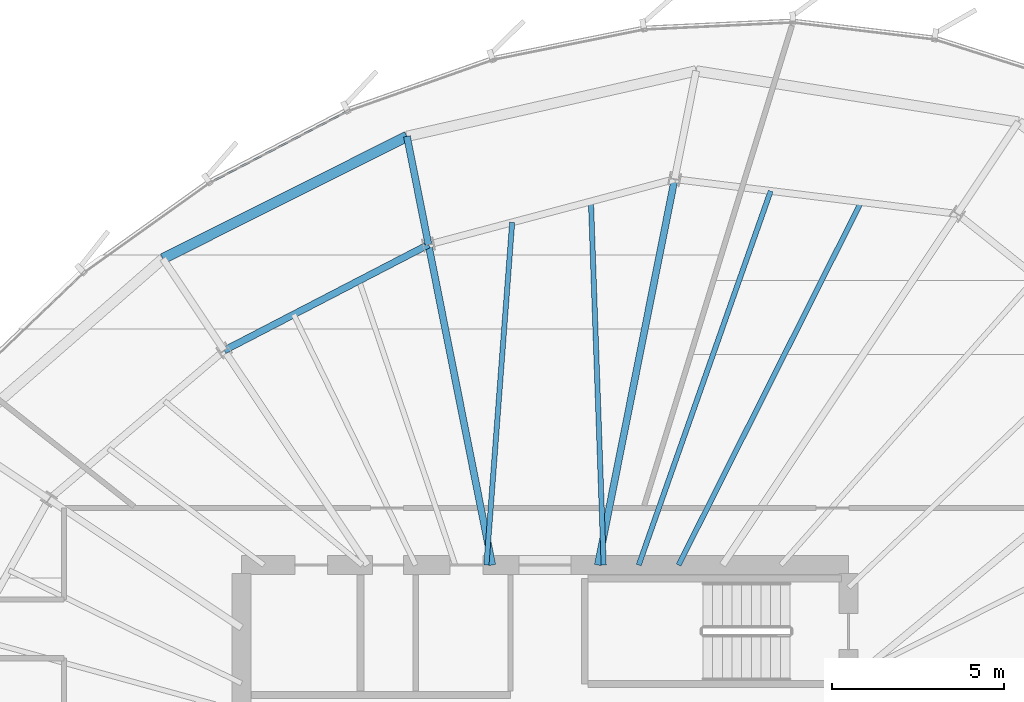
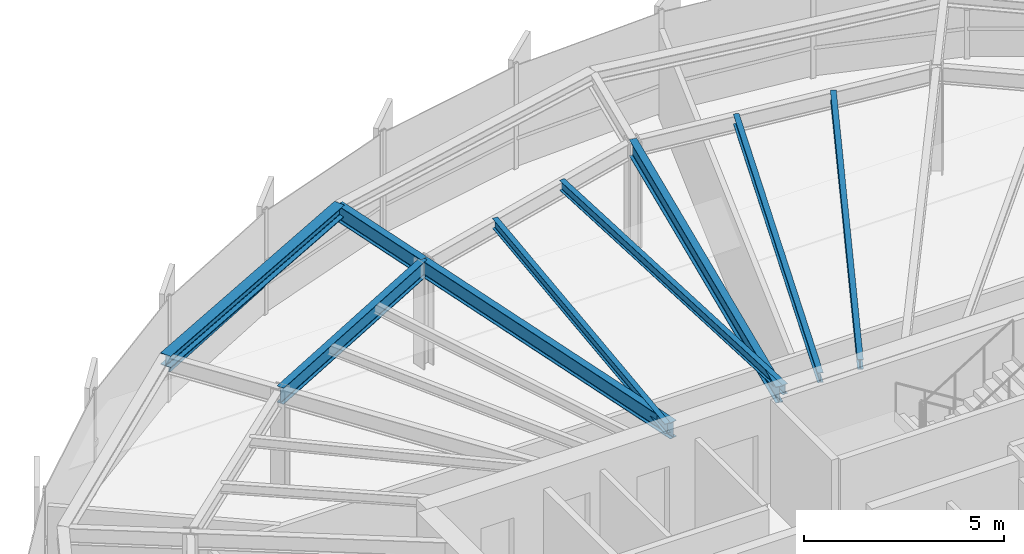
# One storey, part 22 of 35: 9 beams, 1 member, 1 element without a shape of its own.
"""IFC4 building model written with IfcOpenShell, lengths in metres."""

from ifc_helpers import new_model, si_unit, direction, frame, origin, origin_2d, place, context, subcontext, project, spatial, hollow_rectangle, i_section, extrude, source, transform, mapped, material, layer, layer_set, material_profile, profile_set, type_object, element, aggregate, save


model = new_model("IFC4")

# Units and contexts
model_context = context("Model", 3, precision=1e-05, world=origin(), true_north=direction((0.0, 1.0)))
body_context = subcontext(model_context, "Body", "Model", "MODEL_VIEW")
ifc_project = project(units=[si_unit("LENGTHUNIT", "METRE"), si_unit("AREAUNIT", "SQUARE_METRE"), si_unit("VOLUMEUNIT", "CUBIC_METRE"), si_unit("PLANEANGLEUNIT", "RADIAN"), si_unit("MASSUNIT", "GRAM", prefix="KILO"), si_unit("THERMODYNAMICTEMPERATUREUNIT", "KELVIN")], contexts=[model_context])

# Site, building, storey
site_placement = place(None, origin())
site = spatial("IfcSite", under=ifc_project, at=site_placement, CompositionType="ELEMENT")
building_placement = place(site_placement, origin())
building = spatial("IfcBuilding", under=site, at=building_placement, Name="Kethvar Cultural Tower", CompositionType="ELEMENT")
storey_placement = place(building_placement, frame((0.0, 0.0, 193.89990234375)))
storey = spatial("IfcBuildingStorey", under=building, at=storey_placement, Name="L50", CompositionType="ELEMENT", Elevation=193.89990234375)

# Beams
ifc_material_1 = material(Name="Steel S355J2", Category="steel")
ifc_material_profile_1 = material_profile(ifc_material_1, i_section(OverallWidth=0.199951171875, OverallDepth=0.5, WebThickness=0.01025390625, FlangeThickness=0.01611328125, FilletRadius=0.02099609375, at=origin_2d()), Name="Steel S355J2 — IPE500")
ifc_profile_set_1 = profile_set([ifc_material_profile_1], Name="Steel S355J2 — IPE500")
beam_type_1 = type_object("IfcBeamType", Name="BM-IPE500", PredefinedType="BEAM", material=ifc_profile_set_1)
shared_shape_1 = source(origin(), body_context, "Body", "SweptSolid", [
    extrude(i_section(OverallWidth=0.199951171875, OverallDepth=0.5, WebThickness=0.01025390625, FlangeThickness=0.01611328125, FilletRadius=0.02099609375, at=origin_2d()), origin(), (0.0, 0.0, 1.0), 3.199951171875),
])
beam_1_placement = place(storey_placement, frame((43.420654296875, 44.789306640625, 3.008056640625), z_axis=(-0.195088965533, 0.980785550224, 0.0), x_axis=(-0.980785550224, -0.195088965533, 0.0)))
element("IfcBeam", 1, at=beam_1_placement, inside=storey, type_object=beam_type_1, Name="L50 Perimeter Cantilever Beam RC-05", PredefinedType="BEAM", context=body_context, shape_type="MappedRepresentation", body=[
    mapped(shared_shape_1, transform((0.0, 0.0, 0.0), scale=1.0)),
])
shared_shape_2 = source(origin(), body_context, "Body", "SweptSolid", [
    extrude(i_section(OverallWidth=0.199951171875, OverallDepth=0.5, WebThickness=0.01025390625, FlangeThickness=0.01611328125, FilletRadius=0.02099609375, at=origin_2d()), origin(), (0.0, 0.0, 1.0), 11.40673828125),
])
beam_2_placement = place(storey_placement, frame((48.33154296875, 35.5, 3.008056640625), z_axis=(0.195091138918, 0.980785117911, 0.0), x_axis=(-0.980785117911, 0.195091138918, 0.0)))
element("IfcBeam", 2, at=beam_2_placement, inside=storey, type_object=beam_type_1, Name="L50 Primary Radial Beam RB-04", PredefinedType="BEAM", context=body_context, shape_type="MappedRepresentation", body=[
    mapped(shared_shape_2, transform((0.0, 0.0, 0.0), scale=1.0)),
])
shared_shape_3 = source(origin(), body_context, "Body", "SweptSolid", [
    extrude(i_section(OverallWidth=0.199951171875, OverallDepth=0.5, WebThickness=0.01025390625, FlangeThickness=0.01611328125, FilletRadius=0.02099609375, at=origin_2d()), origin(), (0.0, 0.0, 1.0), 9.47119140625),
])
beam_3_placement = place(storey_placement, frame((45.268310546875, 35.5, 3.008056640625), z_axis=(-0.195079990396, 0.980787335434, 0.0), x_axis=(-0.980787335434, -0.195079990396, 0.0)))
element("IfcBeam", 3, at=beam_3_placement, inside=storey, type_object=beam_type_1, Name="L50 Primary Radial Beam RB-05", PredefinedType="BEAM", context=body_context, shape_type="MappedRepresentation", body=[
    mapped(shared_shape_3, transform((0.0, 0.0, 0.0), scale=1.0)),
])
ifc_material_profile_2 = material_profile(ifc_material_1, i_section(OverallWidth=0.14990234375, OverallDepth=0.300048828125, WebThickness=0.007080078125, FlangeThickness=0.0107421875, FilletRadius=0.014892578125, at=origin_2d()), Name="Steel S355J2 — IPE300")
ifc_profile_set_2 = profile_set([ifc_material_profile_2], Name="Steel S355J2 — IPE300")
beam_type_2 = type_object("IfcBeamType", Name="BM-J300", PredefinedType="JOIST", material=ifc_profile_set_2)
shared_shape_4 = source(origin(), body_context, "Body", "SweptSolid", [
    extrude(i_section(OverallWidth=0.14990234375, OverallDepth=0.300048828125, WebThickness=0.007080078125, FlangeThickness=0.0107421875, FilletRadius=0.014892578125, at=origin_2d()), origin(), (0.0, 0.0, 1.0), 11.77880859375),
])
beam_4_placement = place(storey_placement, frame((50.671630859375, 35.5, 3.108154296875), z_axis=(0.449218855458, 0.893421748057, 0.0), x_axis=(-0.893421748057, 0.449218855458, 0.0)))
element("IfcBeam", 4, at=beam_4_placement, inside=storey, type_object=beam_type_2, Name="L50 Composite Floor Joist J-03A", PredefinedType="JOIST", context=body_context, shape_type="MappedRepresentation", body=[
    mapped(shared_shape_4, transform((0.0, 0.0, 0.0), scale=1.0)),
])
shared_shape_5 = source(origin(), body_context, "Body", "SweptSolid", [
    extrude(i_section(OverallWidth=0.14990234375, OverallDepth=0.300048828125, WebThickness=0.007080078125, FlangeThickness=0.0107421875, FilletRadius=0.014892578125, at=origin_2d()), origin(), (0.0, 0.0, 1.0), 11.50048828125),
])
beam_5_placement = place(storey_placement, frame((49.51611328125, 35.5, 3.108154296875), z_axis=(0.332655768875, 0.943048322958, 0.0), x_axis=(-0.943048322958, 0.332655768875, 0.0)))
element("IfcBeam", 5, at=beam_5_placement, inside=storey, type_object=beam_type_2, Name="L50 Composite Floor Joist J-03B", PredefinedType="JOIST", context=body_context, shape_type="MappedRepresentation", body=[
    mapped(shared_shape_5, transform((0.0, 0.0, 0.0), scale=1.0)),
])
shared_shape_6 = source(origin(), body_context, "Body", "SweptSolid", [
    extrude(i_section(OverallWidth=0.14990234375, OverallDepth=0.300048828125, WebThickness=0.007080078125, FlangeThickness=0.0107421875, FilletRadius=0.014892578125, at=origin_2d()), origin(), (0.0, 0.0, 1.0), 10.54833984375),
])
beam_6_placement = place(storey_placement, frame((48.5, 35.5, 3.108154296875), z_axis=(-0.035017879941, 0.999386685965, 0.0), x_axis=(-0.999386685965, -0.035017879941, 0.0)))
element("IfcBeam", 6, at=beam_6_placement, inside=storey, type_object=beam_type_2, Name="L50 Composite Floor Joist J-04A", PredefinedType="JOIST", context=body_context, shape_type="MappedRepresentation", body=[
    mapped(shared_shape_6, transform((0.0, 0.0, 0.0), scale=1.0)),
])
shared_shape_7 = source(origin(), body_context, "Body", "SweptSolid", [
    extrude(i_section(OverallWidth=0.14990234375, OverallDepth=0.300048828125, WebThickness=0.007080078125, FlangeThickness=0.0107421875, FilletRadius=0.014892578125, at=origin_2d()), origin(), (0.0, 0.0, 1.0), 9.962646484375),
])
beam_7_placement = place(storey_placement, frame((45.10009765625, 35.5, 3.108154296875), z_axis=(0.074962964429, 0.99718631858, 0.0), x_axis=(-0.99718631858, 0.074962964429, 0.0)))
element("IfcBeam", 7, at=beam_7_placement, inside=storey, type_object=beam_type_2, Name="L50 Composite Floor Joist J-04B", PredefinedType="JOIST", context=body_context, shape_type="MappedRepresentation", body=[
    mapped(shared_shape_7, transform((0.0, 0.0, 0.0), scale=1.0)),
])
shared_shape_8 = source(origin(), body_context, "Body", "SweptSolid", [
    extrude(i_section(OverallWidth=0.199951171875, OverallDepth=0.5, WebThickness=0.01025390625, FlangeThickness=0.01611328125, FilletRadius=0.02099609375, at=origin_2d()), origin(), (0.0, 0.0, 1.0), 6.669921875),
])
beam_8_placement = place(storey_placement, frame((43.420654296875, 44.789306640625, 3.008056640625), z_axis=(-0.887861983948, -0.460109875421, 0.0), x_axis=(0.460109875421, -0.887861983948, 0.0)))
element("IfcBeam", 8, at=beam_8_placement, inside=storey, type_object=beam_type_1, Name="L50 Column Ring Tie Beam CR-05", PredefinedType="BEAM", context=body_context, shape_type="MappedRepresentation", body=[
    mapped(shared_shape_8, transform((0.0, 0.0, 0.0), scale=1.0)),
])
ifc_material_profile_3 = material_profile(ifc_material_1, i_section(OverallWidth=0.300048828125, OverallDepth=0.360107421875, WebThickness=0.012451171875, FlangeThickness=0.0224609375, FilletRadius=0.027099609375, at=origin_2d()), Name="Steel S355J2 — HEB360")
ifc_profile_set_3 = profile_set([ifc_material_profile_3], Name="Steel S355J2 — HEB360")
beam_type_3 = type_object("IfcBeamType", Name="BM-SP360", PredefinedType="SPANDREL", material=ifc_profile_set_3)
shared_shape_9 = source(origin(), body_context, "Body", "SweptSolid", [
    extrude(i_section(OverallWidth=0.300048828125, OverallDepth=0.360107421875, WebThickness=0.012451171875, FlangeThickness=0.0224609375, FilletRadius=0.027099609375, at=origin_2d()), origin(), (0.0, 0.0, 1.0), 7.91455078125),
])
beam_9_placement = place(storey_placement, frame((42.79638671875, 47.927734375, 3.078125), z_axis=(-0.893976371529, -0.44811410059, 0.0), x_axis=(0.44811410059, -0.893976371529, 0.0)))
element("IfcBeam", 9, at=beam_9_placement, inside=storey, type_object=beam_type_3, Name="L50 Perimeter Spandrel Beam SP-05", PredefinedType="SPANDREL", context=body_context, shape_type="MappedRepresentation", body=[
    mapped(shared_shape_9, transform((0.0, 0.0, 0.0), scale=1.0)),
])

# Curtain wall, member
ifc_material_2 = material(Name="Aluminium 6063-T6", Category="aluminium")
ifc_layer = layer(ifc_material_2, 0.179931640625, Name="Aluminium 6063-T6", Category="aluminium")
ifc_layer_set = layer_set([ifc_layer], Name="Aluminium 6063-T6 (180 mm)")
curtain_wall_type = type_object("IfcCurtainWallType", Name="CW-SYS-04-Z34", PredefinedType="NOTDEFINED", material=ifc_layer_set)
curtain_wall_placement = place(storey_placement, origin())
curtain_wall = element("IfcCurtainWall", 10, at=curtain_wall_placement, inside=storey, type_object=curtain_wall_type, Name="L50 Curtain Wall Run 02", PredefinedType="NOTDEFINED")
ifc_material_profile_4 = material_profile(ifc_material_2, hollow_rectangle(XDim=0.050048828125, YDim=0.10009765625, WallThickness=0.00390625, at=origin_2d()), Name="Aluminium 6063-T6 — RHS100x50x4")
ifc_profile_set_4 = profile_set([ifc_material_profile_4], Name="Aluminium 6063-T6 — RHS100x50x4")
member_type = type_object("IfcMemberType", Name="CW-SYS-04-Z34-TRN", PredefinedType="USERDEFINED", material=ifc_profile_set_4)
shared_shape_10 = source(origin(), body_context, "Body", "SweptSolid", [
    extrude(hollow_rectangle(XDim=0.050048828125, YDim=0.10009765625, WallThickness=0.00390625, at=origin_2d()), origin(), (0.0, 0.0, 1.0), 4.437744140625),
])
member_placement = place(storey_placement, frame((41.04150390625, 48.639892578125, 0.9501953125), z_axis=(-0.887365374395, -0.46106690656, 0.0), x_axis=(0.46106690656, -0.887365374395, 0.0)))
member = element("IfcMember", 11, at=member_placement, type_object=member_type, Name="CW-L50-R02 Transom 2", ObjectType="TRANSOM", PredefinedType="USERDEFINED", context=body_context, shape_type="MappedRepresentation", body=[
    mapped(shared_shape_10, transform((0.0, 0.0, 0.0), scale=1.0)),
])
aggregate(curtain_wall, [member])

save(model, "model.ifc")
